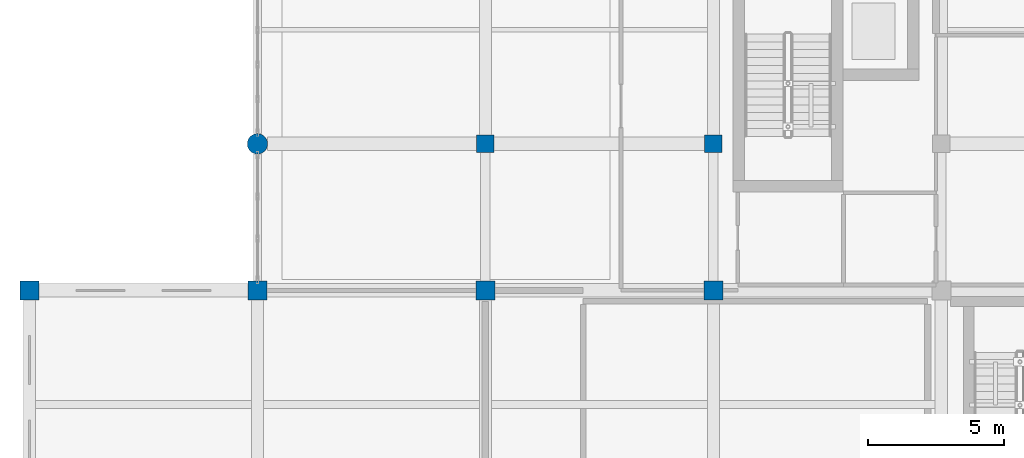
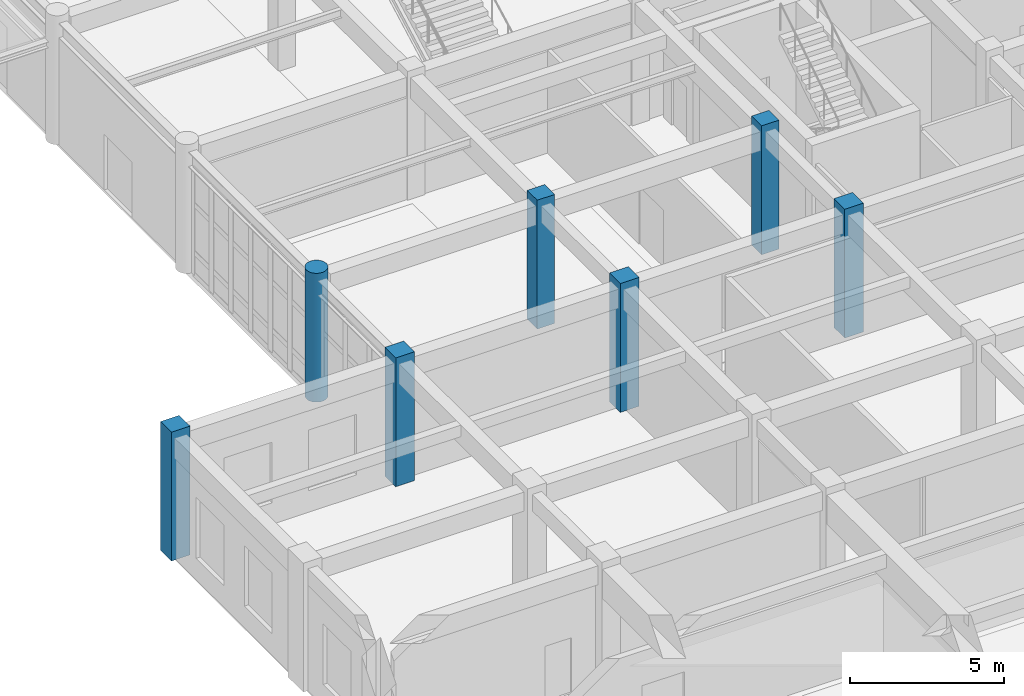
# One storey, part 4 of 80: 7 columns.
"""IFC4 building model written with IfcOpenShell, lengths in metres."""

from ifc_helpers import new_model, si_unit, direction, frame, origin, origin_2d, place, context, subcontext, project, spatial, rectangle, circle, extrude, material, material_profile, profile_set, type_object, element, save


model = new_model("IFC4")

# Units and contexts
model_context = context("Model", 3, precision=1e-05, world=origin(), true_north=direction((0.0, 1.0)))
body_context = subcontext(model_context, "Body", "Model", "MODEL_VIEW")
ifc_project = project(units=[si_unit("LENGTHUNIT", "METRE"), si_unit("AREAUNIT", "SQUARE_METRE"), si_unit("VOLUMEUNIT", "CUBIC_METRE"), si_unit("PLANEANGLEUNIT", "RADIAN"), si_unit("MASSUNIT", "GRAM", prefix="KILO")], contexts=[model_context])

# Site, building, storey
site_placement = place(None, origin())
site = spatial("IfcSite", under=ifc_project, at=site_placement, CompositionType="ELEMENT")
building_placement = place(site_placement, origin())
building = spatial("IfcBuilding", under=site, at=building_placement, Name="Krzemoval Escarpment Law Courts", CompositionType="ELEMENT")
storey_placement = place(building_placement, origin())
storey = spatial("IfcBuildingStorey", under=building, at=storey_placement, Name="L00", CompositionType="ELEMENT", Elevation=0.0)

# Columns
ifc_material_1 = material(Name="Concrete C40/50", Category="concrete")
ifc_material_profile_1 = material_profile(ifc_material_1, rectangle(XDim=0.64990234375, YDim=0.64990234375, at=origin_2d()), Name="RC 650x650")
ifc_profile_set_1 = profile_set([ifc_material_profile_1], Name="Concrete C40/50")
column_type_1 = type_object("IfcColumnType", Name="COL-RC-650", PredefinedType="COLUMN", material=ifc_profile_set_1)
for number, where, z_axis, x_axis, name in (
    (1, (16.800048828125, 40.800048828125, 0.0), (0.0, 0.0, 1.0), (1.0, 0.0, 0.0), "Column FC-L00-0303"),
    (2, (25.199951171875, 40.800048828125, 0.0), (0.0, 0.0, 1.0), (1.0, 0.0, 0.0), "Column FC-L00-0320"),
):
    element("IfcColumn", number, at=place(storey_placement, frame(where, z_axis=z_axis, x_axis=x_axis)), inside=storey, type_object=column_type_1, Name=name, PredefinedType="COLUMN", context=body_context, shape_type="SweptSolid", body=[
        extrude(rectangle(XDim=0.64990234375, YDim=0.64990234375, at=origin_2d()), origin(), (0.0, 0.0, 1.0), 5.10009765625),
    ])
ifc_material_2 = material(Name="Concrete C40/50", Category="concrete")
ifc_material_profile_2 = material_profile(ifc_material_2, rectangle(XDim=0.699951171875, YDim=0.699951171875, at=origin_2d()), Name="RC 700x700")
ifc_profile_set_2 = profile_set([ifc_material_profile_2], Name="Concrete C40/50")
column_type_2 = type_object("IfcColumnType", Name="COL-RC-700", PredefinedType="COLUMN", material=ifc_profile_set_2)
for number, where, z_axis, x_axis, name in (
    (3, (0.0, 35.39990234375, 0.0), (0.0, 0.0, 1.0), (1.0, 0.0, 0.0), "Column FC-L00-0276"),
    (4, (8.39990234375, 35.39990234375, 0.0), (0.0, 0.0, 1.0), (1.0, 0.0, 0.0), "Column FC-L00-0285"),
    (5, (16.800048828125, 35.39990234375, 0.0), (0.0, 0.0, 1.0), (1.0, 0.0, 0.0), "Column FC-L00-0302"),
    (6, (25.199951171875, 35.39990234375, 0.0), (0.0, 0.0, 1.0), (1.0, 0.0, 0.0), "Column FC-L00-0319"),
):
    element("IfcColumn", number, at=place(storey_placement, frame(where, z_axis=z_axis, x_axis=x_axis)), inside=storey, type_object=column_type_2, Name=name, PredefinedType="COLUMN", context=body_context, shape_type="SweptSolid", body=[
        extrude(rectangle(XDim=0.699951171875, YDim=0.699951171875, at=origin_2d()), origin(), (0.0, 0.0, 1.0), 5.10009765625),
    ])
ifc_material_3 = material(Name="Concrete C40/50", Category="concrete")
ifc_material_profile_3 = material_profile(ifc_material_3, circle(Radius=0.375, at=origin_2d()), Name="RC D750")
ifc_profile_set_3 = profile_set([ifc_material_profile_3], Name="Concrete C40/50")
column_type_3 = type_object("IfcColumnType", Name="COL-RCD-750", PredefinedType="COLUMN", material=ifc_profile_set_3)
column_placement = place(storey_placement, frame((8.39990234375, 40.800048828125, 0.0), z_axis=(0.0, 0.0, 1.0), x_axis=(1.0, 0.0, 0.0)))
element("IfcColumn", 7, at=column_placement, inside=storey, type_object=column_type_3, Name="Column FC-L00-0286", PredefinedType="COLUMN", context=body_context, shape_type="SweptSolid", body=[
    extrude(circle(Radius=0.375, at=origin_2d()), origin(), (0.0, 0.0, 1.0), 5.10009765625),
])

save(model, "model.ifc")
